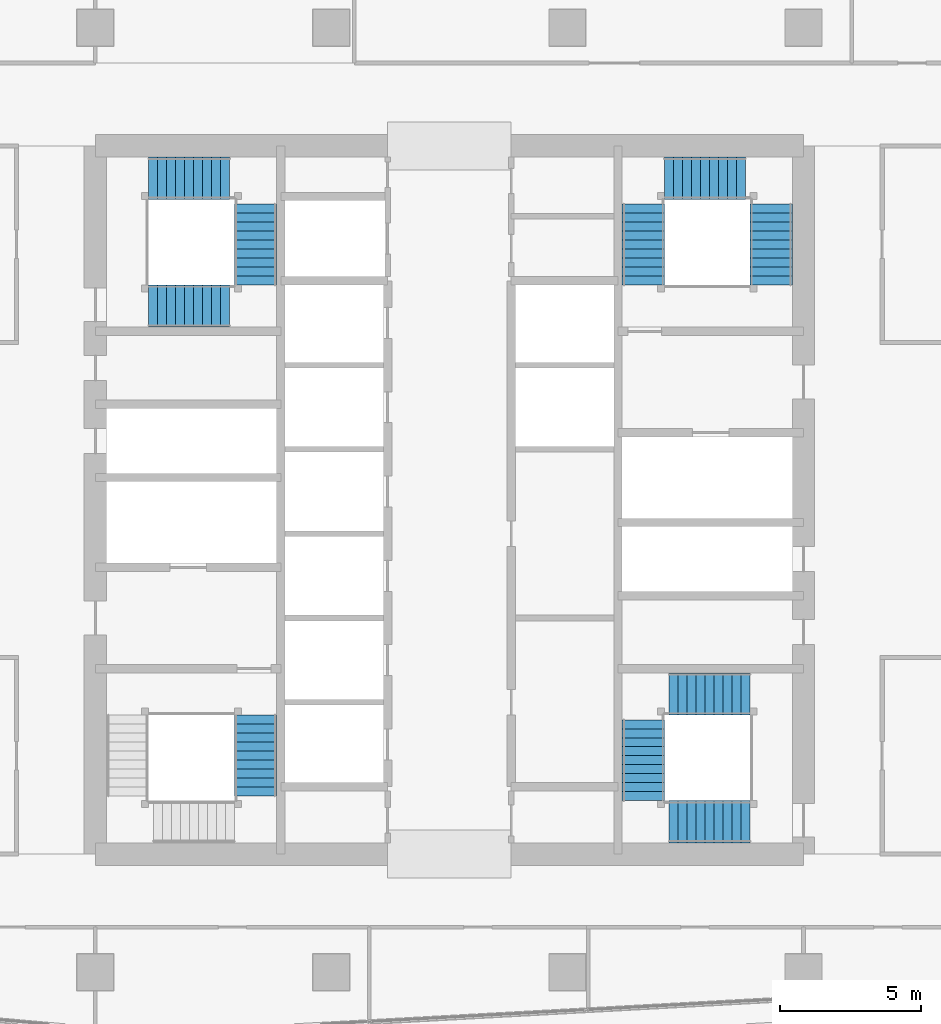
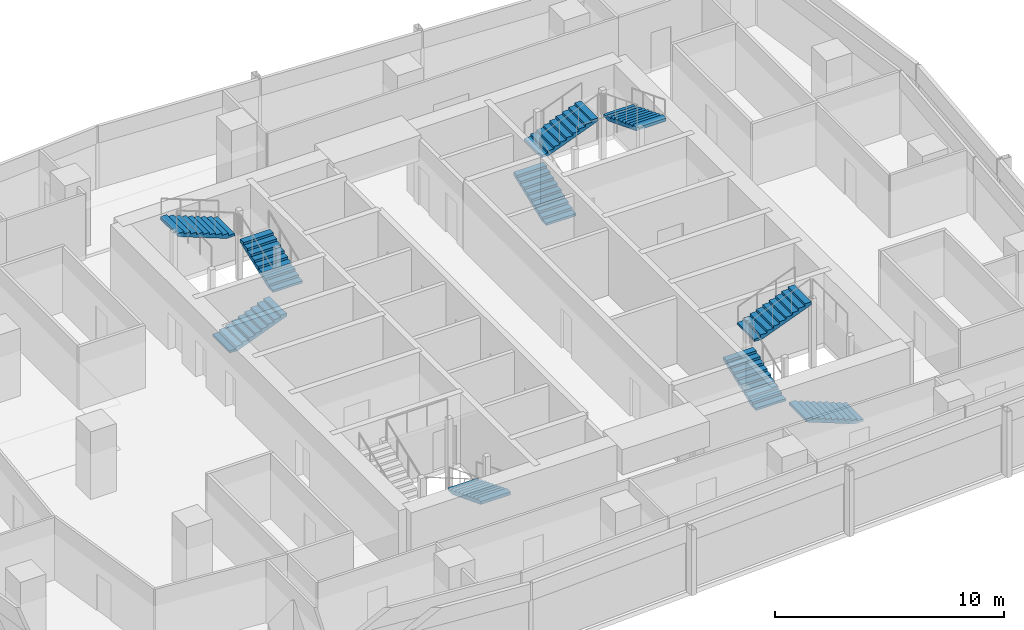
# One storey, part 25 of 30: 10 stair flights, 4 elements without a shape of their own.
"""IFC4 building model written with IfcOpenShell, lengths in metres."""

import ifcopenshell
import ifcopenshell.guid

model = None  # the IFC model being written
_history = None  # IfcOwnerHistory: only IFC2X3 demands one
_inside = {}  # id of a spatial element -> (the spatial element, [elements in it])
_under = {}  # id of a project, library or spatial element -> (it, [spatial elements below it])
_declared = {}  # id of a project -> (the project, [libraries it declares])
_typed = {}  # id of a type object -> (the type object, [elements of that type])
_made_of = {}  # id of a material, layer set ... -> (it, [elements and type objects made of it])


def new_model(schema):
    """Start an empty IFC model of exactly this schema.

    Asked for "IFC4X3", IfcOpenShell would pick the latest addendum, in which some entities
    have other attributes; the version numbers below select the first issue.
    IFC2X3 requires an IfcOwnerHistory on every rooted entity: one is made here for all.
    """
    global model, _history
    if schema == "IFC4X3":
        model = ifcopenshell.file(schema_version=(4, 3, 0, 0))
    else:
        model = ifcopenshell.file(schema=schema)
    _inside.clear()
    _under.clear()
    _declared.clear()
    _typed.clear()
    _made_of.clear()
    _history = None
    if model.schema == "IFC2X3":
        org = make("IfcOrganization", Name="unknown")
        user = make(
            "IfcPersonAndOrganization",
            ThePerson=make("IfcPerson", FamilyName="unknown"),
            TheOrganization=org,
        )
        app = make(
            "IfcApplication",
            ApplicationDeveloper=org,
            Version="unknown",
            ApplicationFullName="unknown",
            ApplicationIdentifier="unknown",
        )
        _history = make(
            "IfcOwnerHistory",
            OwningUser=user,
            OwningApplication=app,
            ChangeAction="ADDED",
            CreationDate=0,
        )
    return model


def make(cls, **values):
    """One entity of the class cls with the attributes given. An attribute that is None is left unset."""
    return model.create_entity(
        cls, **{name: value for name, value in values.items() if value is not None}
    )


def rooted(cls, **values):
    """An entity with a GlobalId (a new one), such as an element, a storey or a relation."""
    return make(cls, GlobalId=ifcopenshell.guid.new(), OwnerHistory=_history, **values)


def si_unit(unit_type, name, prefix=None):
    """IfcSIUnit, for example si_unit("LENGTHUNIT", "METRE", prefix="MILLI")."""
    return make("IfcSIUnit", UnitType=unit_type, Prefix=prefix, Name=name)


def assignment(units):
    """IfcUnitAssignment: the units of a project."""
    return None if units is None else make("IfcUnitAssignment", Units=units)


def point(xyz):
    """IfcCartesianPoint."""
    return None if xyz is None else make("IfcCartesianPoint", Coordinates=xyz)


def direction(xyz):
    """IfcDirection."""
    return None if xyz is None else make("IfcDirection", DirectionRatios=xyz)


def frame(location, z_axis=None, x_axis=None):
    """IfcAxis2Placement3D, a coordinate frame: its origin and axes. An axis left out is left unset."""
    return make(
        "IfcAxis2Placement3D",
        Location=point(location),
        Axis=direction(z_axis),
        RefDirection=direction(x_axis),
    )


def origin():
    """The frame at (0, 0, 0) with its axes left unset."""
    return frame((0.0, 0.0, 0.0))


def place(relative_to, where):
    """IfcLocalPlacement: puts the frame where relative to a parent placement (None: the world)."""
    return make(
        "IfcLocalPlacement", PlacementRelTo=relative_to, RelativePlacement=where
    )


def context(
    kind, dimensions, precision=None, world=None, true_north=None, identifier=None
):
    """IfcGeometricRepresentationContext, for example the 3D "Model" context."""
    return make(
        "IfcGeometricRepresentationContext",
        ContextIdentifier=identifier,
        ContextType=kind,
        CoordinateSpaceDimension=dimensions,
        Precision=precision,
        WorldCoordinateSystem=world,
        TrueNorth=true_north,
    )


def subcontext(parent, identifier, kind, view, scale=None):
    """IfcGeometricRepresentationSubContext, for example "Body" below "Model"."""
    return make(
        "IfcGeometricRepresentationSubContext",
        ContextIdentifier=identifier,
        ContextType=kind,
        ParentContext=parent,
        TargetScale=scale,
        TargetView=view,
    )


def project(units=None, contexts=None):
    """IfcProject with its units and contexts."""
    return rooted(
        "IfcProject",
        Name="project",
        RepresentationContexts=contexts,
        UnitsInContext=assignment(units),
    )


def spatial(cls, under=None, at=None, **own):
    """A site, building, storey or space (cls), placed at a placement, below another one or the project."""
    s = rooted(cls, ObjectPlacement=at, **own)
    if under is not None:
        _under.setdefault(under.id(), (under, []))[1].append(s)
    return s


def polyline(points):
    """IfcPolyline through the points."""
    return make("IfcPolyline", Points=[point(p) for p in points])


def outline(outer, holes=None, kind="AREA"):
    """IfcArbitraryClosedProfileDef: a profile drawn as a closed curve; with holes, ...WithVoids."""
    if holes is None:
        return make("IfcArbitraryClosedProfileDef", ProfileType=kind, OuterCurve=outer)
    return make(
        "IfcArbitraryProfileDefWithVoids",
        ProfileType=kind,
        OuterCurve=outer,
        InnerCurves=holes,
    )


def extrude(swept, where, along, depth):
    """IfcExtrudedAreaSolid: the profile swept, set in the frame where, extruded along a direction by depth."""
    return make(
        "IfcExtrudedAreaSolid",
        SweptArea=swept,
        Position=where,
        ExtrudedDirection=direction(along),
        Depth=depth,
    )


def shape(context_of_items, identifier, shape_type, items):
    """IfcShapeRepresentation: the items that make up one representation, for example the "Body"."""
    return make(
        "IfcShapeRepresentation",
        ContextOfItems=context_of_items,
        RepresentationIdentifier=identifier,
        RepresentationType=shape_type,
        Items=items,
    )


def material(Name=None, Category=None):
    """IfcMaterial."""
    return make("IfcMaterial", Name=Name, Category=Category)


def made_of(thing, what):
    """Note that an element or type object is made of a material, layer set ...; save() writes the relation."""
    if what is not None:
        _made_of.setdefault(what.id(), (what, []))[1].append(thing)
    return thing


def type_object(cls, material=None, **own):
    """A type object (cls), such as IfcWallType, which elements share."""
    return made_of(rooted(cls, **own), material)


def element(
    cls,
    number,
    at=None,
    inside=None,
    cuts=None,
    type_object=None,
    material=None,
    context=None,
    identifier="Body",
    shape_type=None,
    held_by="IfcProductDefinitionShape",
    body=None,
    shapes=None,
    **own,
):
    """One element of the class cls, such as IfcWall. Its Tag is "e" and its number.

    at: its placement. inside: the storey or other place that contains it. cuts: it is an
    opening in that element (IfcRelVoidsElement). A single representation is given by context,
    identifier, shape_type and body (its items); several are given by shapes. held_by: the class
    of the entity that holds the representations. save() writes the other relations.
    """
    e = rooted(cls, Tag="e%d" % number, ObjectPlacement=at, **own)
    if body is not None:
        shapes = [shape(context, identifier, shape_type, body)]
    if shapes is not None:
        e.Representation = make(held_by, Representations=shapes)
    if inside is not None:
        _inside.setdefault(inside.id(), (inside, []))[1].append(e)
    if cuts is not None:
        rooted(
            "IfcRelVoidsElement", RelatingBuildingElement=cuts, RelatedOpeningElement=e
        )
    if type_object is not None:
        _typed.setdefault(type_object.id(), (type_object, []))[1].append(e)
    return made_of(e, material)


def aggregate(whole, parts):
    """IfcRelAggregates: a whole, such as a stair, and the parts it consists of."""
    return rooted("IfcRelAggregates", RelatingObject=whole, RelatedObjects=parts)


def save(model, path):
    """Write the relations noted so far, then the file.

    IfcRelAggregates (storeys below a building ...), IfcRelContainedInSpatialStructure (elements
    in a storey), IfcRelDefinesByType, IfcRelAssociatesMaterial and IfcRelDeclares: one each for
    every whole, place, type object, material and project.
    """
    for whole, parts in _under.values():
        aggregate(whole, parts)
    for where, things in _inside.values():
        rooted(
            "IfcRelContainedInSpatialStructure",
            RelatedElements=things,
            RelatingStructure=where,
        )
    for kind, things in _typed.values():
        rooted("IfcRelDefinesByType", RelatedObjects=things, RelatingType=kind)
    for what, things in _made_of.values():
        rooted("IfcRelAssociatesMaterial", RelatedObjects=things, RelatingMaterial=what)
    for by, libraries in _declared.values():
        rooted("IfcRelDeclares", RelatingContext=by, RelatedDefinitions=libraries)
    model.write(path)


model = new_model("IFC4")

# Units and contexts
model_context = context("Model", 3, precision=1e-05, world=origin(), true_north=direction((0.0, 1.0)))
body_context = subcontext(model_context, "Body", "Model", "MODEL_VIEW")
ifc_project = project(units=[si_unit("LENGTHUNIT", "METRE"), si_unit("AREAUNIT", "SQUARE_METRE"), si_unit("VOLUMEUNIT", "CUBIC_METRE"), si_unit("PLANEANGLEUNIT", "RADIAN"), si_unit("MASSUNIT", "GRAM", prefix="KILO")], contexts=[model_context])

# Site, building, storey
site_placement = place(None, origin())
site = spatial("IfcSite", under=ifc_project, at=site_placement, CompositionType="ELEMENT")
building_placement = place(site_placement, origin())
building = spatial("IfcBuilding", under=site, at=building_placement, Name="Rekha Terrace Tower", CompositionType="ELEMENT")
storey_placement = place(building_placement, frame((0.0, 0.0, 272.60009765625)))
storey = spatial("IfcBuildingStorey", under=building, at=storey_placement, Name="L69", CompositionType="ELEMENT", Elevation=272.60009765625)

# Stair, stair flight
ifc_material = material(Name="Concrete M40", Category="concrete")
stair_type = type_object("IfcStairType", Name="ST30 stair, 30 risers of 125, going 320, 1500 wide flights, 3 flights", PredefinedType="HALF_TURN_STAIR", material=ifc_material)
stair_1_placement = place(storey_placement, origin())
stair_1 = element("IfcStair", 1, at=stair_1_placement, inside=storey, type_object=stair_type, Name="Stair ST1 L69 to L70", PredefinedType="HALF_TURN_STAIR")
stair_flight_type = type_object("IfcStairFlightType", Name="SF10 stair flight, 10 risers of 125, going 320, 1500 wide", PredefinedType="STRAIGHT", material=ifc_material)
stair_flight_1_placement = place(storey_placement, frame((30.89990234375, 25.949951171875, 0.0), z_axis=(0.0, 0.0, 1.0), x_axis=(0.0, -1.0, 0.0)))
stair_flight_1 = element("IfcStairFlight", 2, at=stair_flight_1_placement, type_object=stair_flight_type, Name="ST1 flight 1", NumberOfRisers=10, NumberOfTreads=9, PredefinedType="STRAIGHT", RiserHeight=0.125, TreadLength=0.32, context=body_context, shape_type="SweptSolid", body=[
    extrude(outline(polyline([(0.0, 0.0), (0.0, 0.125), (0.320068359375, 0.125), (0.320068359375, 0.25), (0.639892578125, 0.25), (0.639892578125, 0.375), (0.9599609375, 0.375), (0.9599609375, 0.5), (1.280029296875, 0.5), (1.280029296875, 0.625), (1.60009765625, 0.625), (1.60009765625, 0.75), (1.919921875, 0.75), (1.919921875, 0.875), (2.239990234375, 0.875), (2.239990234375, 1.0), (2.56005859375, 1.0), (2.56005859375, 1.125), (2.8798828125, 1.125), (2.8798828125, 1.25), (2.8798828125, 0.964111328125), (0.412109375, 0.0), (0.0, 0.0)])), frame((0.0, 0.75, 0.0), z_axis=(0.0, -1.0, 0.0), x_axis=(1.0, 0.0, 0.0)), (0.0, 0.0, 1.0), 1.5),
])
aggregate(stair_1, [stair_flight_1])

# Stair, stair flights
stair_2_placement = place(storey_placement, origin())
stair_2 = element("IfcStair", 3, at=stair_2_placement, inside=storey, type_object=stair_type, Name="Stair ST2 L69 to L70", PredefinedType="HALF_TURN_STAIR")
stair_flight_2_placement = place(storey_placement, frame((44.699951171875, 41.25, 0.0), z_axis=(0.0, 0.0, 1.0), x_axis=(0.0, 1.0, 0.0)))
stair_flight_2 = element("IfcStairFlight", 4, at=stair_flight_2_placement, type_object=stair_flight_type, Name="ST2 flight 1", NumberOfRisers=10, NumberOfTreads=9, PredefinedType="STRAIGHT", RiserHeight=0.125, TreadLength=0.32, context=body_context, shape_type="SweptSolid", body=[
    extrude(outline(polyline([(0.0, 0.0), (0.0, 0.125), (0.320068359375, 0.125), (0.320068359375, 0.25), (0.639892578125, 0.25), (0.639892578125, 0.375), (0.9599609375, 0.375), (0.9599609375, 0.5), (1.280029296875, 0.5), (1.280029296875, 0.625), (1.60009765625, 0.625), (1.60009765625, 0.75), (1.919921875, 0.75), (1.919921875, 0.875), (2.239990234375, 0.875), (2.239990234375, 1.0), (2.56005859375, 1.0), (2.56005859375, 1.125), (2.8798828125, 1.125), (2.8798828125, 1.25), (2.8798828125, 0.964111328125), (0.412109375, 0.0), (0.0, 0.0)])), frame((0.0, 0.75, 0.0), z_axis=(0.0, -1.0, 0.0), x_axis=(1.0, 0.0, 0.0)), (0.0, 0.0, 1.0), 1.5),
])
stair_flight_3_placement = place(storey_placement, frame((45.449951171875, 45.050048828125, 1.25), z_axis=(0.0, 0.0, 1.0), x_axis=(1.0, 0.0, 0.0)))
stair_flight_3 = element("IfcStairFlight", 5, at=stair_flight_3_placement, type_object=stair_flight_type, Name="ST2 flight 2", NumberOfRisers=10, NumberOfTreads=9, PredefinedType="STRAIGHT", RiserHeight=0.125, TreadLength=0.32, context=body_context, shape_type="SweptSolid", body=[
    extrude(outline(polyline([(0.0, 0.0), (0.0, 0.125), (0.320068359375, 0.125), (0.320068359375, 0.25), (0.639892578125, 0.25), (0.639892578125, 0.375), (0.9599609375, 0.375), (0.9599609375, 0.5), (1.280029296875, 0.5), (1.280029296875, 0.625), (1.60009765625, 0.625), (1.60009765625, 0.75), (1.919921875, 0.75), (1.919921875, 0.875), (2.239990234375, 0.875), (2.239990234375, 1.0), (2.56005859375, 1.0), (2.56005859375, 1.125), (2.8798828125, 1.125), (2.8798828125, 1.25), (2.8798828125, 0.964111328125), (0.412109375, 0.0), (0.0, 0.0)])), frame((0.0, 0.75, 0.0), z_axis=(0.0, -1.0, 0.0), x_axis=(1.0, 0.0, 0.0)), (0.0, 0.0, 1.0), 1.5),
])
stair_flight_4_placement = place(storey_placement, frame((49.25, 44.1298828125, 2.5), z_axis=(0.0, 0.0, 1.0), x_axis=(0.0, -1.0, 0.0)))
stair_flight_4 = element("IfcStairFlight", 6, at=stair_flight_4_placement, type_object=stair_flight_type, Name="ST2 flight 3", NumberOfRisers=10, NumberOfTreads=9, PredefinedType="STRAIGHT", RiserHeight=0.125, TreadLength=0.32, context=body_context, shape_type="SweptSolid", body=[
    extrude(outline(polyline([(0.0, 0.0), (0.0, 0.125), (0.320068359375, 0.125), (0.320068359375, 0.25), (0.639892578125, 0.25), (0.639892578125, 0.375), (0.9599609375, 0.375), (0.9599609375, 0.5), (1.280029296875, 0.5), (1.280029296875, 0.625), (1.60009765625, 0.625), (1.60009765625, 0.75), (1.919921875, 0.75), (1.919921875, 0.875), (2.239990234375, 0.875), (2.239990234375, 1.0), (2.56005859375, 1.0), (2.56005859375, 1.125), (2.8798828125, 1.125), (2.8798828125, 1.25), (2.8798828125, 0.964111328125), (0.412109375, 0.0), (0.0, 0.0)])), frame((0.0, 0.75, 0.0), z_axis=(0.0, -1.0, 0.0), x_axis=(1.0, 0.0, 0.0)), (0.0, 0.0, 1.0), 1.5),
])
aggregate(stair_2, [stair_flight_2, stair_flight_3, stair_flight_4])

stair_3_placement = place(storey_placement, origin())
stair_3 = element("IfcStair", 7, at=stair_3_placement, inside=storey, type_object=stair_type, Name="Stair ST3 L69 to L70", PredefinedType="HALF_TURN_STAIR")
stair_flight_5_placement = place(storey_placement, frame((48.5, 22.14990234375, 0.0), z_axis=(0.0, 0.0, 1.0), x_axis=(-1.0, 0.0, 0.0)))
stair_flight_5 = element("IfcStairFlight", 8, at=stair_flight_5_placement, type_object=stair_flight_type, Name="ST3 flight 1", NumberOfRisers=10, NumberOfTreads=9, PredefinedType="STRAIGHT", RiserHeight=0.125, TreadLength=0.32, context=body_context, shape_type="SweptSolid", body=[
    extrude(outline(polyline([(0.0, 0.0), (0.0, 0.125), (0.320068359375, 0.125), (0.320068359375, 0.25), (0.639892578125, 0.25), (0.639892578125, 0.375), (0.9599609375, 0.375), (0.9599609375, 0.5), (1.280029296875, 0.5), (1.280029296875, 0.625), (1.60009765625, 0.625), (1.60009765625, 0.75), (1.919921875, 0.75), (1.919921875, 0.875), (2.239990234375, 0.875), (2.239990234375, 1.0), (2.56005859375, 1.0), (2.56005859375, 1.125), (2.8798828125, 1.125), (2.8798828125, 1.25), (2.8798828125, 0.964111328125), (0.412109375, 0.0), (0.0, 0.0)])), frame((0.0, 0.75, 0.0), z_axis=(0.0, -1.0, 0.0), x_axis=(1.0, 0.0, 0.0)), (0.0, 0.0, 1.0), 1.5),
])
stair_flight_6_placement = place(storey_placement, frame((44.699951171875, 22.89990234375, 1.25), z_axis=(0.0, 0.0, 1.0), x_axis=(0.0, 1.0, 0.0)))
stair_flight_6 = element("IfcStairFlight", 9, at=stair_flight_6_placement, type_object=stair_flight_type, Name="ST3 flight 2", NumberOfRisers=10, NumberOfTreads=9, PredefinedType="STRAIGHT", RiserHeight=0.125, TreadLength=0.32, context=body_context, shape_type="SweptSolid", body=[
    extrude(outline(polyline([(0.0, 0.0), (0.0, 0.125), (0.320068359375, 0.125), (0.320068359375, 0.25), (0.639892578125, 0.25), (0.639892578125, 0.375), (0.9599609375, 0.375), (0.9599609375, 0.5), (1.280029296875, 0.5), (1.280029296875, 0.625), (1.60009765625, 0.625), (1.60009765625, 0.75), (1.919921875, 0.75), (1.919921875, 0.875), (2.239990234375, 0.875), (2.239990234375, 1.0), (2.56005859375, 1.0), (2.56005859375, 1.125), (2.8798828125, 1.125), (2.8798828125, 1.25), (2.8798828125, 0.964111328125), (0.412109375, 0.0), (0.0, 0.0)])), frame((0.0, 0.75, 0.0), z_axis=(0.0, -1.0, 0.0), x_axis=(1.0, 0.0, 0.0)), (0.0, 0.0, 1.0), 1.5),
])
stair_flight_7_placement = place(storey_placement, frame((45.6201171875, 26.699951171875, 2.5), z_axis=(0.0, 0.0, 1.0), x_axis=(1.0, 0.0, 0.0)))
stair_flight_7 = element("IfcStairFlight", 10, at=stair_flight_7_placement, type_object=stair_flight_type, Name="ST3 flight 3", NumberOfRisers=10, NumberOfTreads=9, PredefinedType="STRAIGHT", RiserHeight=0.125, TreadLength=0.32, context=body_context, shape_type="SweptSolid", body=[
    extrude(outline(polyline([(0.0, 0.0), (0.0, 0.125), (0.320068359375, 0.125), (0.320068359375, 0.25), (0.639892578125, 0.25), (0.639892578125, 0.375), (0.9599609375, 0.375), (0.9599609375, 0.5), (1.280029296875, 0.5), (1.280029296875, 0.625), (1.60009765625, 0.625), (1.60009765625, 0.75), (1.919921875, 0.75), (1.919921875, 0.875), (2.239990234375, 0.875), (2.239990234375, 1.0), (2.56005859375, 1.0), (2.56005859375, 1.125), (2.8798828125, 1.125), (2.8798828125, 1.25), (2.8798828125, 0.964111328125), (0.412109375, 0.0), (0.0, 0.0)])), frame((0.0, 0.75, 0.0), z_axis=(0.0, -1.0, 0.0), x_axis=(1.0, 0.0, 0.0)), (0.0, 0.0, 1.0), 1.5),
])
aggregate(stair_3, [stair_flight_5, stair_flight_6, stair_flight_7])

stair_4_placement = place(storey_placement, origin())
stair_4 = element("IfcStair", 11, at=stair_4_placement, inside=storey, type_object=stair_type, Name="Stair ST4 L69 to L70", PredefinedType="HALF_TURN_STAIR")
stair_flight_8_placement = place(storey_placement, frame((27.10009765625, 40.5, 0.0), z_axis=(0.0, 0.0, 1.0), x_axis=(1.0, 0.0, 0.0)))
stair_flight_8 = element("IfcStairFlight", 12, at=stair_flight_8_placement, type_object=stair_flight_type, Name="ST4 flight 1", NumberOfRisers=10, NumberOfTreads=9, PredefinedType="STRAIGHT", RiserHeight=0.125, TreadLength=0.32, context=body_context, shape_type="SweptSolid", body=[
    extrude(outline(polyline([(0.0, 0.0), (0.0, 0.125), (0.320068359375, 0.125), (0.320068359375, 0.25), (0.639892578125, 0.25), (0.639892578125, 0.375), (0.9599609375, 0.375), (0.9599609375, 0.5), (1.280029296875, 0.5), (1.280029296875, 0.625), (1.60009765625, 0.625), (1.60009765625, 0.75), (1.919921875, 0.75), (1.919921875, 0.875), (2.239990234375, 0.875), (2.239990234375, 1.0), (2.56005859375, 1.0), (2.56005859375, 1.125), (2.8798828125, 1.125), (2.8798828125, 1.25), (2.8798828125, 0.964111328125), (0.412109375, 0.0), (0.0, 0.0)])), frame((0.0, 0.75, 0.0), z_axis=(0.0, -1.0, 0.0), x_axis=(1.0, 0.0, 0.0)), (0.0, 0.0, 1.0), 1.5),
])
stair_flight_9_placement = place(storey_placement, frame((30.89990234375, 41.25, 1.25), z_axis=(0.0, 0.0, 1.0), x_axis=(0.0, 1.0, 0.0)))
stair_flight_9 = element("IfcStairFlight", 13, at=stair_flight_9_placement, type_object=stair_flight_type, Name="ST4 flight 2", NumberOfRisers=10, NumberOfTreads=9, PredefinedType="STRAIGHT", RiserHeight=0.125, TreadLength=0.32, context=body_context, shape_type="SweptSolid", body=[
    extrude(outline(polyline([(0.0, 0.0), (0.0, 0.125), (0.320068359375, 0.125), (0.320068359375, 0.25), (0.639892578125, 0.25), (0.639892578125, 0.375), (0.9599609375, 0.375), (0.9599609375, 0.5), (1.280029296875, 0.5), (1.280029296875, 0.625), (1.60009765625, 0.625), (1.60009765625, 0.75), (1.919921875, 0.75), (1.919921875, 0.875), (2.239990234375, 0.875), (2.239990234375, 1.0), (2.56005859375, 1.0), (2.56005859375, 1.125), (2.8798828125, 1.125), (2.8798828125, 1.25), (2.8798828125, 0.964111328125), (0.412109375, 0.0), (0.0, 0.0)])), frame((0.0, 0.75, 0.0), z_axis=(0.0, -1.0, 0.0), x_axis=(1.0, 0.0, 0.0)), (0.0, 0.0, 1.0), 1.5),
])
stair_flight_10_placement = place(storey_placement, frame((29.97998046875, 45.050048828125, 2.5), z_axis=(0.0, 0.0, 1.0), x_axis=(-1.0, 0.0, 0.0)))
stair_flight_10 = element("IfcStairFlight", 14, at=stair_flight_10_placement, type_object=stair_flight_type, Name="ST4 flight 3", NumberOfRisers=10, NumberOfTreads=9, PredefinedType="STRAIGHT", RiserHeight=0.125, TreadLength=0.32, context=body_context, shape_type="SweptSolid", body=[
    extrude(outline(polyline([(0.0, 0.0), (0.0, 0.125), (0.320068359375, 0.125), (0.320068359375, 0.25), (0.639892578125, 0.25), (0.639892578125, 0.375), (0.9599609375, 0.375), (0.9599609375, 0.5), (1.280029296875, 0.5), (1.280029296875, 0.625), (1.60009765625, 0.625), (1.60009765625, 0.75), (1.919921875, 0.75), (1.919921875, 0.875), (2.239990234375, 0.875), (2.239990234375, 1.0), (2.56005859375, 1.0), (2.56005859375, 1.125), (2.8798828125, 1.125), (2.8798828125, 1.25), (2.8798828125, 0.964111328125), (0.412109375, 0.0), (0.0, 0.0)])), frame((0.0, 0.75, 0.0), z_axis=(0.0, -1.0, 0.0), x_axis=(1.0, 0.0, 0.0)), (0.0, 0.0, 1.0), 1.5),
])
aggregate(stair_4, [stair_flight_8, stair_flight_9, stair_flight_10])

save(model, "model.ifc")
